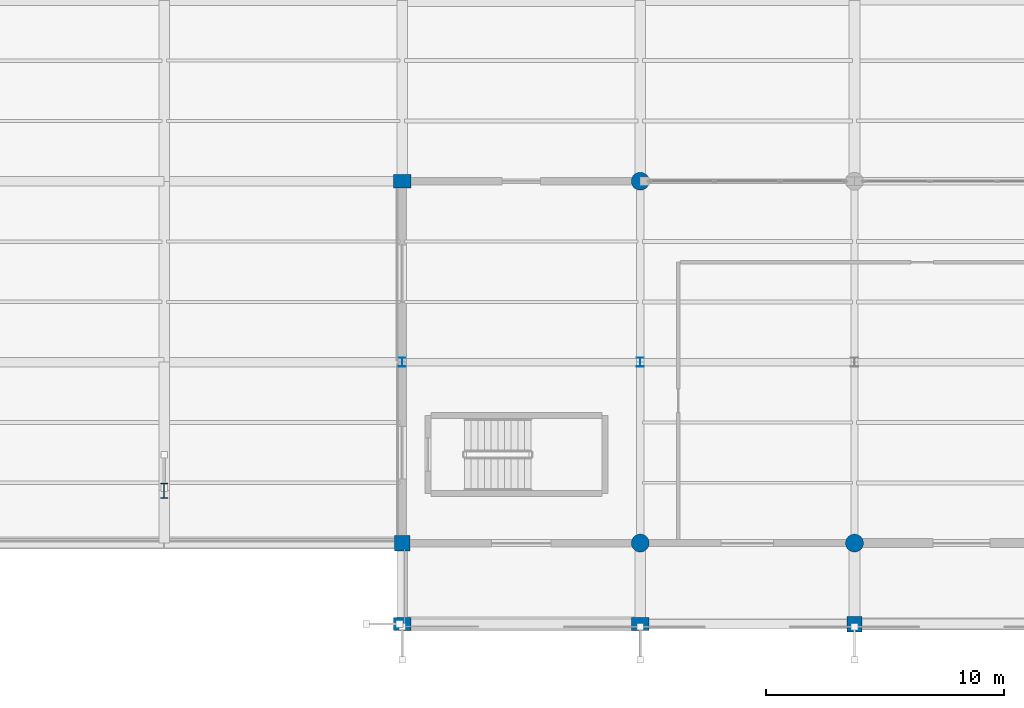
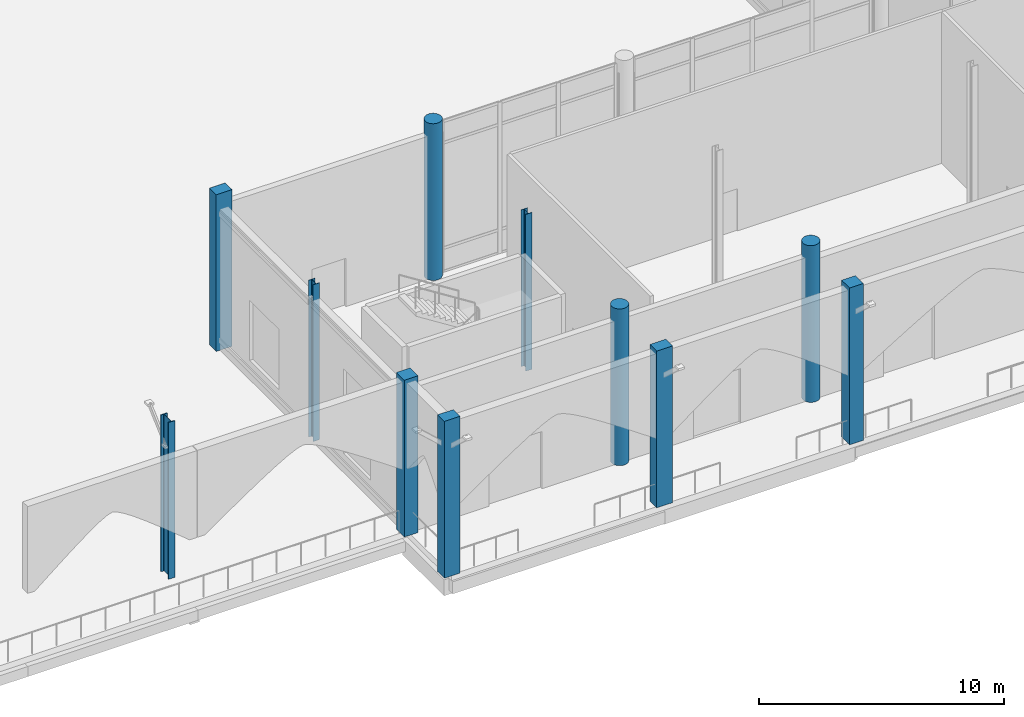
# One storey, part 14 of 176: 11 columns.
"""IFC4 building model written with IfcOpenShell, lengths in metres."""

from ifc_helpers import new_model, si_unit, direction, frame, origin, origin_2d, place, context, subcontext, project, spatial, rectangle, circle, i_section, extrude, material, material_profile, profile_set, type_object, element, save


model = new_model("IFC4")

# Units and contexts
model_context = context("Model", 3, precision=1e-05, world=origin(), true_north=direction((0.0, 1.0)))
body_context = subcontext(model_context, "Body", "Model", "MODEL_VIEW")
ifc_project = project(units=[si_unit("LENGTHUNIT", "METRE"), si_unit("AREAUNIT", "SQUARE_METRE"), si_unit("VOLUMEUNIT", "CUBIC_METRE"), si_unit("PLANEANGLEUNIT", "RADIAN"), si_unit("MASSUNIT", "GRAM", prefix="KILO")], contexts=[model_context])

# Site, building, storey
site_placement = place(None, origin())
site = spatial("IfcSite", under=ifc_project, at=site_placement, CompositionType="ELEMENT")
building_placement = place(site_placement, origin())
building = spatial("IfcBuilding", under=site, at=building_placement, Name="Vekula Escarpment Museum", CompositionType="ELEMENT")
storey_placement = place(building_placement, origin())
storey = spatial("IfcBuildingStorey", under=building, at=storey_placement, Name="L01", CompositionType="ELEMENT", Elevation=0.0)

# Columns
ifc_material_1 = material(Name="Concrete C35/45", Category="concrete")
ifc_material_profile_1 = material_profile(ifc_material_1, circle(Radius=0.375, at=origin_2d()), Name="RC COL D750")
ifc_profile_set_1 = profile_set([ifc_material_profile_1], Name="Concrete C35/45")
column_type_1 = type_object("IfcColumnType", Name="COL-RC-D750", PredefinedType="COLUMN", material=ifc_profile_set_1)
for number, where, z_axis, x_axis, name in (
    (1, (146.0, 0.0, 0.0), (0.0, 0.0, 1.0), (1.0, 0.0, 0.0), "Column L01 (146.0,0.0)"),
    (2, (146.0, 15.199951171875, 0.0), (0.0, 0.0, 1.0), (1.0, 0.0, 0.0), "Column L01 (146.0,15.2)"),
    (3, (155.0, 0.0, 0.0), (0.0, 0.0, 1.0), (1.0, 0.0, 0.0), "Column L01 (155.0,0.0)"),
):
    element("IfcColumn", number, at=place(storey_placement, frame(where, z_axis=z_axis, x_axis=x_axis)), inside=storey, type_object=column_type_1, Name=name, PredefinedType="COLUMN", context=body_context, shape_type="SweptSolid", body=[
        extrude(circle(Radius=0.375, at=origin_2d()), origin(), (0.0, 0.0, 1.0), 7.800048828125),
    ])
ifc_material_2 = material(Name="Steel S355", Category="steel")
ifc_material_profile_2 = material_profile(ifc_material_2, i_section(OverallWidth=0.300048828125, OverallDepth=0.389892578125, WebThickness=0.010986328125, FlangeThickness=0.01904296875, FilletRadius=0.027099609375, at=origin_2d()), Name="HEA 400")
ifc_profile_set_2 = profile_set([ifc_material_profile_2], Name="Steel S355")
column_type_2 = type_object("IfcColumnType", Name="COL-S-HEA400", PredefinedType="COLUMN", material=ifc_profile_set_2)
for number, where, z_axis, x_axis, name in (
    (4, (136.0, 7.60009765625, 0.0), (0.0, 0.0, 1.0), (1.0, 0.0, 0.0), "Column L01 (136.0,7.6)"),
    (5, (146.0, 7.60009765625, 0.0), (0.0, 0.0, 1.0), (1.0, 0.0, 0.0), "Column L01 (146.0,7.6)"),
):
    element("IfcColumn", number, at=place(storey_placement, frame(where, z_axis=z_axis, x_axis=x_axis)), inside=storey, type_object=column_type_2, Name=name, PredefinedType="COLUMN", context=body_context, shape_type="SweptSolid", body=[
        extrude(i_section(OverallWidth=0.300048828125, OverallDepth=0.389892578125, WebThickness=0.010986328125, FlangeThickness=0.01904296875, FilletRadius=0.027099609375, at=origin_2d()), origin(), (0.0, 0.0, 1.0), 7.800048828125),
    ])
ifc_material_3 = material(Name="Steel S355", Category="steel")
ifc_material_profile_3 = material_profile(ifc_material_3, i_section(OverallWidth=0.300048828125, OverallDepth=0.64990234375, WebThickness=0.01611328125, FlangeThickness=0.031005859375, FilletRadius=0.027099609375, at=origin_2d()), Name="HEB 650")
ifc_profile_set_3 = profile_set([ifc_material_profile_3], Name="Steel S355")
column_type_3 = type_object("IfcColumnType", Name="COL-S-HEB650", PredefinedType="COLUMN", material=ifc_profile_set_3)
column_placement = place(storey_placement, frame((126.0, 2.199951171875, 0.0), z_axis=(0.0, 0.0, 1.0), x_axis=(1.0, 0.0, 0.0)))
element("IfcColumn", 6, at=column_placement, inside=storey, type_object=column_type_3, Name="Column L01 (126.0,2.2)", PredefinedType="COLUMN", context=body_context, shape_type="SweptSolid", body=[
    extrude(i_section(OverallWidth=0.300048828125, OverallDepth=0.64990234375, WebThickness=0.01611328125, FlangeThickness=0.031005859375, FilletRadius=0.027099609375, at=origin_2d()), origin(), (0.0, 0.0, 1.0), 7.800048828125),
])
ifc_material_4 = material(Name="Inkisi arkosic sandstone masonry", Category="masonry")
ifc_material_profile_4 = material_profile(ifc_material_4, rectangle(XDim=0.64990234375, YDim=0.64990234375, at=origin_2d()), Name="PIER 650x650")
ifc_profile_set_4 = profile_set([ifc_material_profile_4], Name="Inkisi arkosic sandstone masonry")
column_type_4 = type_object("IfcColumnType", Name="PIL-ALM-650", PredefinedType="PILASTER", material=ifc_profile_set_4)
for number, where, z_axis, x_axis, name in (
    (7, (136.0, 0.0, 0.0), (0.0, 0.0, 1.0), (1.0, 0.0, 0.0), "Column L01 (136.0,0.0)"),
    (8, (155.0, -3.39990234375, 0.0), (0.0, 0.0, 1.0), (1.0, 0.0, 0.0), "Column L01 (155.0,-3.4)"),
):
    element("IfcColumn", number, at=place(storey_placement, frame(where, z_axis=z_axis, x_axis=x_axis)), inside=storey, type_object=column_type_4, Name=name, PredefinedType="PILASTER", context=body_context, shape_type="SweptSolid", body=[
        extrude(rectangle(XDim=0.64990234375, YDim=0.64990234375, at=origin_2d()), origin(), (0.0, 0.0, 1.0), 7.800048828125),
    ])
ifc_material_5 = material(Name="Inkisi arkosic sandstone masonry", Category="masonry")
ifc_material_profile_5 = material_profile(ifc_material_5, rectangle(XDim=0.75, YDim=0.550048828125, at=origin_2d()), Name="PIER 750x550")
ifc_profile_set_5 = profile_set([ifc_material_profile_5], Name="Inkisi arkosic sandstone masonry")
column_type_5 = type_object("IfcColumnType", Name="PIL-ALM-750", PredefinedType="PILASTER", material=ifc_profile_set_5)
for number, where, z_axis, x_axis, name in (
    (9, (136.0, -3.39990234375, 0.0), (0.0, 0.0, 1.0), (1.0, 0.0, 0.0), "Column L01 (136.0,-3.4)"),
    (10, (136.0, 15.199951171875, 0.0), (0.0, 0.0, 1.0), (1.0, 0.0, 0.0), "Column L01 (136.0,15.2)"),
    (11, (146.0, -3.39990234375, 0.0), (0.0, 0.0, 1.0), (1.0, 0.0, 0.0), "Column L01 (146.0,-3.4)"),
):
    element("IfcColumn", number, at=place(storey_placement, frame(where, z_axis=z_axis, x_axis=x_axis)), inside=storey, type_object=column_type_5, Name=name, PredefinedType="PILASTER", context=body_context, shape_type="SweptSolid", body=[
        extrude(rectangle(XDim=0.75, YDim=0.550048828125, at=origin_2d()), origin(), (0.0, 0.0, 1.0), 7.800048828125),
    ])

save(model, "model.ifc")
